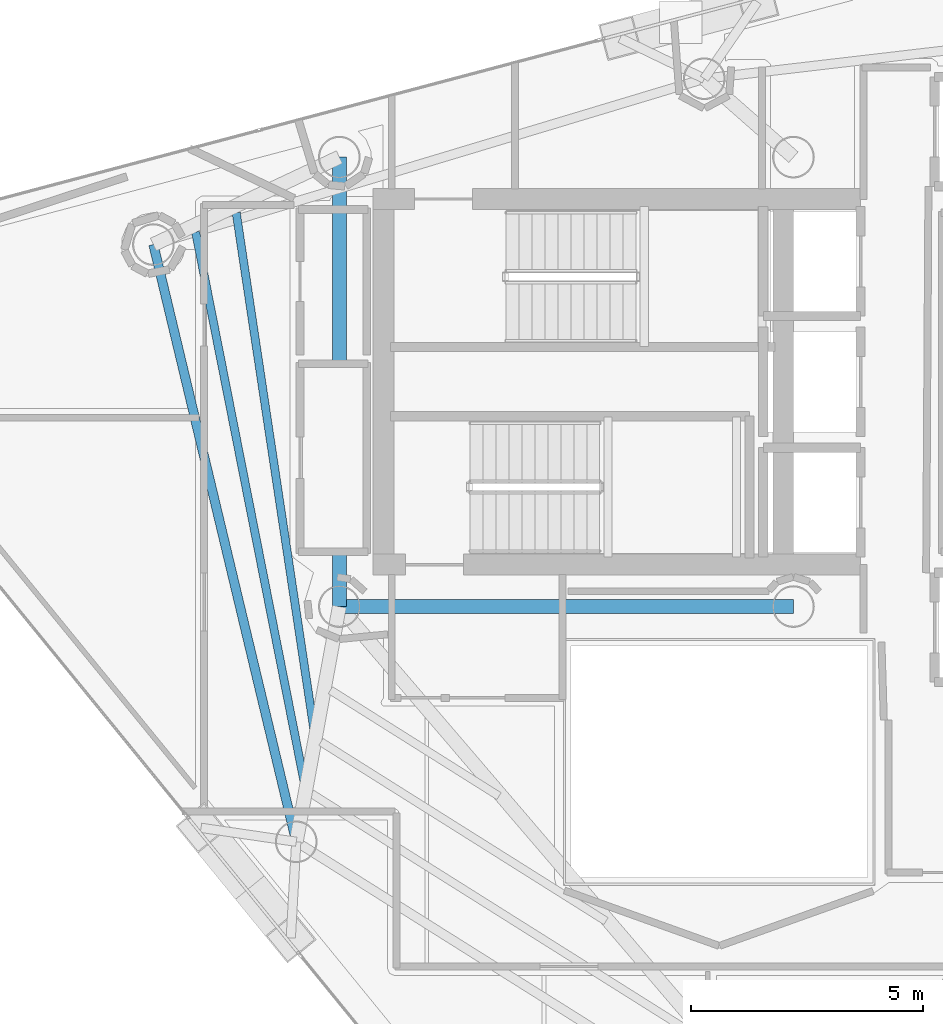
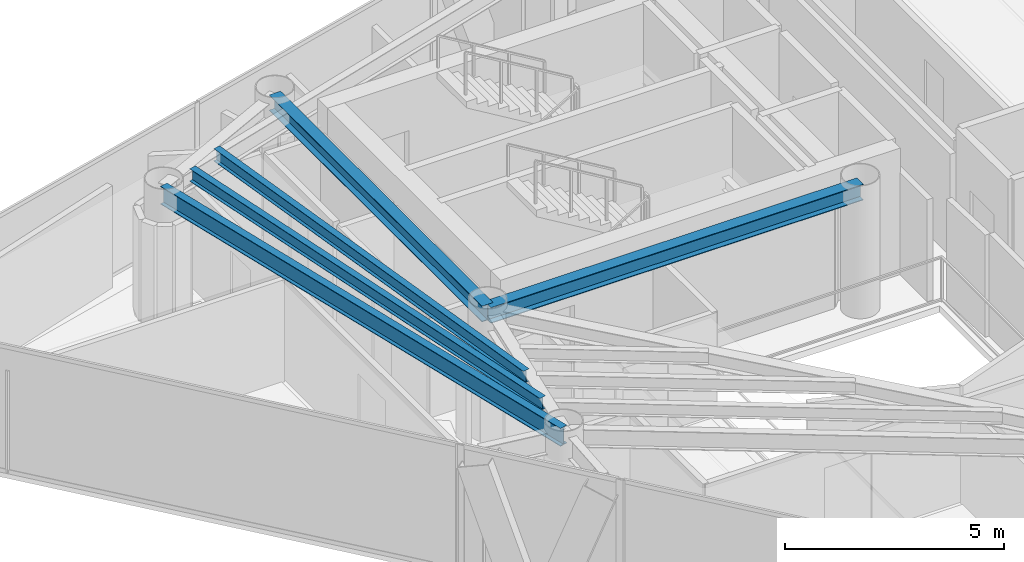
# One storey, part 7 of 23: 5 beams.
"""IFC4 building model written with IfcOpenShell, lengths in metres."""

from ifc_helpers import new_model, si_unit, direction, frame, origin, origin_2d, place, context, subcontext, project, spatial, i_section, extrude, material, material_profile, profile_set, type_object, element, save


model = new_model("IFC4")

# Units and contexts
model_context = context("Model", 3, precision=1e-05, world=origin(), true_north=direction((0.0, 1.0)))
body_context = subcontext(model_context, "Body", "Model", "MODEL_VIEW")
ifc_project = project(units=[si_unit("LENGTHUNIT", "METRE"), si_unit("AREAUNIT", "SQUARE_METRE"), si_unit("VOLUMEUNIT", "CUBIC_METRE"), si_unit("PLANEANGLEUNIT", "RADIAN"), si_unit("MASSUNIT", "GRAM", prefix="KILO")], contexts=[model_context])

# Site, building, storey
site_placement = place(None, origin())
site = spatial("IfcSite", under=ifc_project, at=site_placement, CompositionType="ELEMENT")
building_placement = place(site_placement, origin())
building = spatial("IfcBuilding", under=site, at=building_placement, Name="Qianvela Tower", CompositionType="ELEMENT")
storey_placement = place(building_placement, frame((0.0, 0.0, 313.89990234375)))
storey = spatial("IfcBuildingStorey", under=building, at=storey_placement, Name="L81", CompositionType="ELEMENT", Elevation=313.89990234375)

# Beams
ifc_material_1 = material(Name="Steel Q355B", Category="steel")
ifc_material_profile_1 = material_profile(ifc_material_1, i_section(OverallWidth=0.300048828125, OverallDepth=0.43994140625, WebThickness=0.010986328125, FlangeThickness=0.01806640625, at=origin_2d()), Name="HM440x300x11x18")
ifc_profile_set_1 = profile_set([ifc_material_profile_1], Name="Steel Q355B")
beam_type_1 = type_object("IfcBeamType", Name="BM-HM440-COLL", PredefinedType="BEAM", material=ifc_profile_set_1)
beam_1_placement = place(storey_placement, frame((28.60009765625, 23.85009765625, 3.298095703125), z_axis=(1.0, 0.0, 0.0), x_axis=(0.0, 1.0, 0.0)))
element("IfcBeam", 1, at=beam_1_placement, inside=storey, type_object=beam_type_1, Name="L81 Core Ring Collector Girder CC1", PredefinedType="BEAM", context=body_context, shape_type="SweptSolid", body=[
    extrude(i_section(OverallWidth=0.300048828125, OverallDepth=0.43994140625, WebThickness=0.010986328125, FlangeThickness=0.01806640625, at=origin_2d()), origin(), (0.0, 0.0, 1.0), 9.7998046875),
])
beam_2_placement = place(storey_placement, frame((28.60009765625, 33.550048828125, 3.298095703125), z_axis=(0.0, -1.0, 0.0), x_axis=(1.0, 0.0, 0.0)))
element("IfcBeam", 2, at=beam_2_placement, inside=storey, type_object=beam_type_1, Name="L81 Core Ring Collector Girder CC2", PredefinedType="BEAM", context=body_context, shape_type="SweptSolid", body=[
    extrude(i_section(OverallWidth=0.300048828125, OverallDepth=0.43994140625, WebThickness=0.010986328125, FlangeThickness=0.01806640625, at=origin_2d()), origin(), (0.0, 0.0, 1.0), 9.699951171875),
])
ifc_material_2 = material(Name="Steel Q355B", Category="steel")
ifc_material_profile_2 = material_profile(ifc_material_2, i_section(OverallWidth=0.175048828125, OverallDepth=0.35009765625, WebThickness=0.007080078125, FlangeThickness=0.010986328125, at=origin_2d()), Name="HN350x175x7x11")
ifc_profile_set_2 = profile_set([ifc_material_profile_2], Name="Steel Q355B")
beam_type_2 = type_object("IfcBeamType", Name="BM-HN350-JOIST", PredefinedType="JOIST", material=ifc_profile_set_2)
beam_3_placement = place(storey_placement, frame((26.37451171875, 32.348876953125, 3.343017578125), z_axis=(0.148647266964, -0.988890282096, 0.0), x_axis=(0.988890282096, 0.148647266964, 0.0)))
element("IfcBeam", 3, at=beam_3_placement, inside=storey, type_object=beam_type_2, Name="L81 Secondary Composite Floor Joist 3.2", PredefinedType="JOIST", context=body_context, shape_type="SweptSolid", body=[
    extrude(i_section(OverallWidth=0.175048828125, OverallDepth=0.35009765625, WebThickness=0.007080078125, FlangeThickness=0.010986328125, at=origin_2d()), origin(), (0.0, 0.0, 1.0), 11.32275390625),
])
beam_4_placement = place(storey_placement, frame((25.498046875, 31.934814453125, 3.343017578125), z_axis=(0.193576445355, -0.981085194977, 0.0), x_axis=(0.981085194977, 0.193576445355, 0.0)))
element("IfcBeam", 4, at=beam_4_placement, inside=storey, type_object=beam_type_2, Name="L81 Secondary Composite Floor Joist 3.3", PredefinedType="JOIST", context=body_context, shape_type="SweptSolid", body=[
    extrude(i_section(OverallWidth=0.175048828125, OverallDepth=0.35009765625, WebThickness=0.007080078125, FlangeThickness=0.010986328125, at=origin_2d()), origin(), (0.0, 0.0, 1.0), 12.13037109375),
])
ifc_material_3 = material(Name="Steel Q355B", Category="steel")
ifc_material_profile_3 = material_profile(ifc_material_3, i_section(OverallWidth=0.199951171875, OverallDepth=0.5, WebThickness=0.010009765625, FlangeThickness=0.01611328125, at=origin_2d()), Name="HN500x200x10x16")
ifc_profile_set_3 = profile_set([ifc_material_profile_3], Name="Steel Q355B")
beam_type_3 = type_object("IfcBeamType", Name="BM-HN500-GIRD", PredefinedType="BEAM", material=ifc_profile_set_3)
beam_5_placement = place(storey_placement, frame((24.5869140625, 31.6630859375, 3.26806640625), z_axis=(0.232631550142, -0.972564939672, 0.0), x_axis=(0.972564939672, 0.232631550142, 0.0)))
element("IfcBeam", 5, at=beam_5_placement, inside=storey, type_object=beam_type_3, Name="L81 Perimeter Ring Spandrel Girder 3", PredefinedType="BEAM", context=body_context, shape_type="SweptSolid", body=[
    extrude(i_section(OverallWidth=0.199951171875, OverallDepth=0.5, WebThickness=0.010009765625, FlangeThickness=0.01611328125, at=origin_2d()), origin(), (0.0, 0.0, 1.0), 13.252685546875),
])

save(model, "model.ifc")
